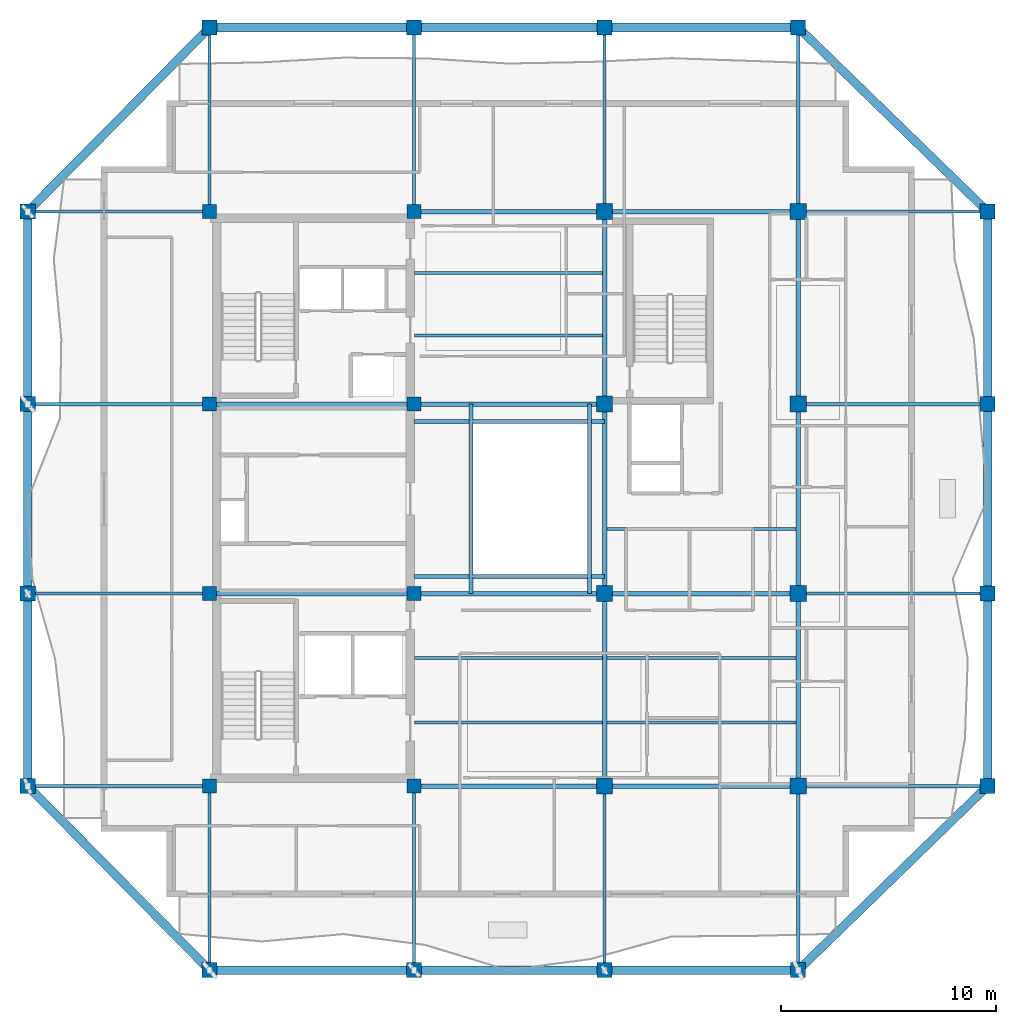
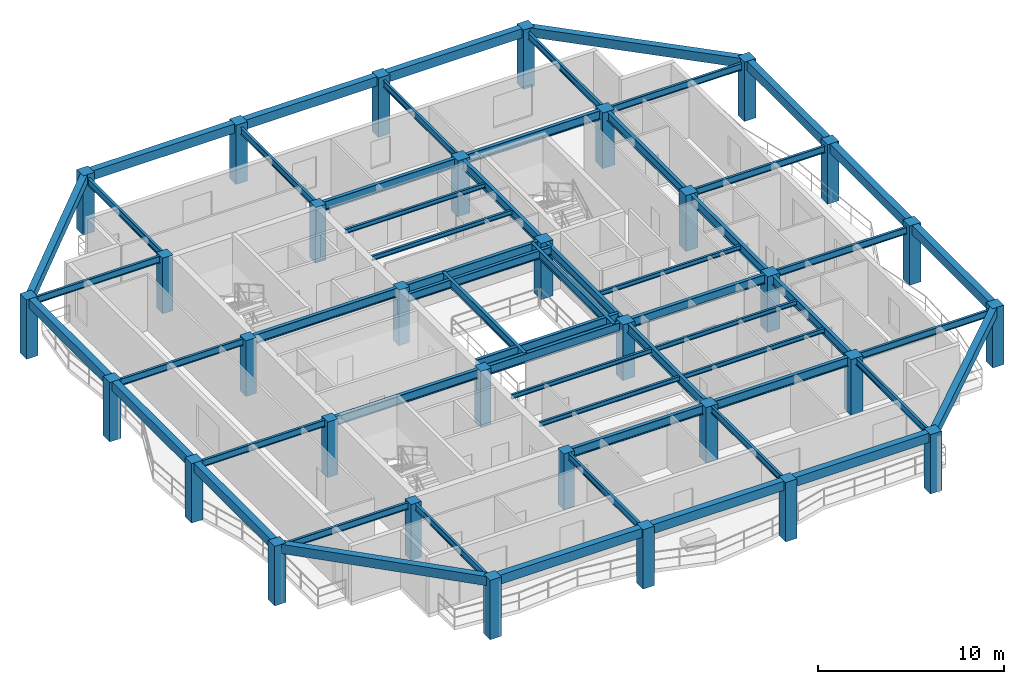
# One storey, part 1 of 10: 58 beams, 32 columns.
"""IFC4 building model written with IfcOpenShell, lengths in metres."""

from ifc_helpers import new_model, si_unit, direction, frame, origin, origin_2d, place, context, subcontext, project, spatial, rectangle, i_section, extrude, material, material_profile, profile_set, type_object, element, save


model = new_model("IFC4")

# Units and contexts
model_context = context("Model", 3, precision=1e-05, world=origin(), true_north=direction((0.0, 1.0)))
body_context = subcontext(model_context, "Body", "Model", "MODEL_VIEW")
ifc_project = project(units=[si_unit("LENGTHUNIT", "METRE"), si_unit("AREAUNIT", "SQUARE_METRE"), si_unit("VOLUMEUNIT", "CUBIC_METRE"), si_unit("PLANEANGLEUNIT", "RADIAN"), si_unit("MASSUNIT", "GRAM", prefix="KILO")], contexts=[model_context])

# Site, building, storey
site_placement = place(None, origin())
site = spatial("IfcSite", under=ifc_project, at=site_placement, CompositionType="ELEMENT")
building_placement = place(site_placement, origin())
building = spatial("IfcBuilding", under=site, at=building_placement, Name="Kundavana Baori Tower", CompositionType="ELEMENT")
storey_placement = place(building_placement, frame((0.0, 0.0, 292.10009765625)))
storey = spatial("IfcBuildingStorey", under=building, at=storey_placement, Name="L72", CompositionType="ELEMENT", Elevation=292.10009765625)

# Columns
ifc_material_1 = material(Name="Concrete C50/60", Category="concrete")
ifc_material_profile_1 = material_profile(ifc_material_1, rectangle(XDim=0.699951171875, YDim=0.699951171875, at=origin_2d()), Name="RC PF 700x700")
ifc_profile_set_1 = profile_set([ifc_material_profile_1], Name="Concrete C50/60")
column_type_1 = type_object("IfcColumnType", Name="COL-PF-700", PredefinedType="COLUMN", material=ifc_profile_set_1)
for number, where, z_axis, x_axis, name in (
    (1, (15.449951171875, 6.699951171875, 0.0), (0.0, 0.0, 1.0), (1.0, 0.0, 0.0), "L72 Stone-Clad Perimeter Frame Column PF-S1"),
    (2, (15.449951171875, 50.5, 0.0), (0.0, 0.0, 1.0), (1.0, 0.0, 0.0), "L72 Stone-Clad Perimeter Frame Column PF-N1"),
    (3, (24.949951171875, 6.699951171875, 0.0), (0.0, 0.0, 1.0), (1.0, 0.0, 0.0), "L72 Stone-Clad Perimeter Frame Column PF-S2"),
    (4, (24.949951171875, 50.5, 0.0), (0.0, 0.0, 1.0), (1.0, 0.0, 0.0), "L72 Stone-Clad Perimeter Frame Column PF-N2"),
    (5, (33.800048828125, 6.699951171875, 0.0), (0.0, 0.0, 1.0), (1.0, 0.0, 0.0), "L72 Stone-Clad Perimeter Frame Column PF-S3"),
    (6, (33.800048828125, 50.5, 0.0), (0.0, 0.0, 1.0), (1.0, 0.0, 0.0), "L72 Stone-Clad Perimeter Frame Column PF-N3"),
    (7, (42.800048828125, 6.699951171875, 0.0), (0.0, 0.0, 1.0), (1.0, 0.0, 0.0), "L72 Stone-Clad Perimeter Frame Column PF-S4"),
    (8, (42.800048828125, 50.5, 0.0), (0.0, 0.0, 1.0), (1.0, 0.0, 0.0), "L72 Stone-Clad Perimeter Frame Column PF-N4"),
    (9, (7.0, 15.25, 0.0), (0.0, 0.0, 1.0), (1.0, 0.0, 0.0), "L72 Stone-Clad Perimeter Frame Column PF-W1"),
    (10, (51.60009765625, 15.25, 0.0), (0.0, 0.0, 1.0), (1.0, 0.0, 0.0), "L72 Stone-Clad Perimeter Frame Column PF-E1"),
    (11, (7.0, 24.199951171875, 0.0), (0.0, 0.0, 1.0), (1.0, 0.0, 0.0), "L72 Stone-Clad Perimeter Frame Column PF-W2"),
    (12, (51.60009765625, 24.199951171875, 0.0), (0.0, 0.0, 1.0), (1.0, 0.0, 0.0), "L72 Stone-Clad Perimeter Frame Column PF-E2"),
    (13, (7.0, 33.0, 0.0), (0.0, 0.0, 1.0), (1.0, 0.0, 0.0), "L72 Stone-Clad Perimeter Frame Column PF-W3"),
    (14, (51.60009765625, 33.0, 0.0), (0.0, 0.0, 1.0), (1.0, 0.0, 0.0), "L72 Stone-Clad Perimeter Frame Column PF-E3"),
    (15, (7.0, 41.949951171875, 0.0), (0.0, 0.0, 1.0), (1.0, 0.0, 0.0), "L72 Stone-Clad Perimeter Frame Column PF-W4"),
    (16, (51.60009765625, 41.949951171875, 0.0), (0.0, 0.0, 1.0), (1.0, 0.0, 0.0), "L72 Stone-Clad Perimeter Frame Column PF-E4"),
):
    element("IfcColumn", number, at=place(storey_placement, frame(where, z_axis=z_axis, x_axis=x_axis)), inside=storey, type_object=column_type_1, Name=name, PredefinedType="COLUMN", context=body_context, shape_type="SweptSolid", body=[
        extrude(rectangle(XDim=0.699951171875, YDim=0.699951171875, at=origin_2d()), origin(), (0.0, 0.0, 1.0), 3.89990234375),
    ])
ifc_material_2 = material(Name="Concrete C50/60", Category="concrete")
ifc_material_profile_2 = material_profile(ifc_material_2, rectangle(XDim=0.64990234375, YDim=0.64990234375, at=origin_2d()), Name="RC 650x650")
ifc_profile_set_2 = profile_set([ifc_material_profile_2], Name="Concrete C50/60")
column_type_2 = type_object("IfcColumnType", Name="COL-RC-650", PredefinedType="COLUMN", material=ifc_profile_set_2)
for number, where, z_axis, x_axis, name in (
    (17, (15.449951171875, 15.25, 0.0), (0.0, 0.0, 1.0), (1.0, 0.0, 0.0), "L72 Interior Column IC-3C"),
    (18, (15.449951171875, 24.199951171875, 0.0), (0.0, 0.0, 1.0), (1.0, 0.0, 0.0), "L72 Interior Column IC-3D"),
    (19, (15.449951171875, 33.0, 0.0), (0.0, 0.0, 1.0), (1.0, 0.0, 0.0), "L72 Interior Column IC-3E"),
    (20, (15.449951171875, 41.949951171875, 0.0), (0.0, 0.0, 1.0), (1.0, 0.0, 0.0), "L72 Interior Column IC-3F"),
    (21, (24.949951171875, 15.25, 0.0), (0.0, 0.0, 1.0), (1.0, 0.0, 0.0), "L72 Interior Column IC-4C"),
    (22, (24.949951171875, 24.199951171875, 0.0), (0.0, 0.0, 1.0), (1.0, 0.0, 0.0), "L72 Interior Column IC-4D"),
    (23, (24.949951171875, 33.0, 0.0), (0.0, 0.0, 1.0), (1.0, 0.0, 0.0), "L72 Interior Column IC-4E"),
    (24, (24.949951171875, 41.949951171875, 0.0), (0.0, 0.0, 1.0), (1.0, 0.0, 0.0), "L72 Interior Column IC-4F"),
):
    element("IfcColumn", number, at=place(storey_placement, frame(where, z_axis=z_axis, x_axis=x_axis)), inside=storey, type_object=column_type_2, Name=name, PredefinedType="COLUMN", context=body_context, shape_type="SweptSolid", body=[
        extrude(rectangle(XDim=0.64990234375, YDim=0.64990234375, at=origin_2d()), origin(), (0.0, 0.0, 1.0), 3.659912109375),
    ])
ifc_material_3 = material(Name="Concrete C50/60", Category="concrete")
ifc_material_profile_3 = material_profile(ifc_material_3, rectangle(XDim=0.75, YDim=0.75, at=origin_2d()), Name="RC 750x750")
ifc_profile_set_3 = profile_set([ifc_material_profile_3], Name="Concrete C50/60")
column_type_3 = type_object("IfcColumnType", Name="COL-RC-750", PredefinedType="COLUMN", material=ifc_profile_set_3)
for number, where, z_axis, x_axis, name in (
    (25, (33.800048828125, 15.25, 0.0), (0.0, 0.0, 1.0), (1.0, 0.0, 0.0), "L72 Interior Column IC-5C"),
    (26, (33.800048828125, 24.199951171875, 0.0), (0.0, 0.0, 1.0), (1.0, 0.0, 0.0), "L72 Interior Column IC-5D"),
    (27, (33.800048828125, 33.0, 0.0), (0.0, 0.0, 1.0), (1.0, 0.0, 0.0), "L72 Interior Column IC-5E"),
    (28, (33.800048828125, 41.949951171875, 0.0), (0.0, 0.0, 1.0), (1.0, 0.0, 0.0), "L72 Interior Column IC-5F"),
    (29, (42.800048828125, 15.25, 0.0), (0.0, 0.0, 1.0), (1.0, 0.0, 0.0), "L72 Interior Column IC-6C"),
    (30, (42.800048828125, 24.199951171875, 0.0), (0.0, 0.0, 1.0), (1.0, 0.0, 0.0), "L72 Interior Column IC-6D"),
    (31, (42.800048828125, 33.0, 0.0), (0.0, 0.0, 1.0), (1.0, 0.0, 0.0), "L72 Interior Column IC-6E"),
    (32, (42.800048828125, 41.949951171875, 0.0), (0.0, 0.0, 1.0), (1.0, 0.0, 0.0), "L72 Interior Column IC-6F"),
):
    element("IfcColumn", number, at=place(storey_placement, frame(where, z_axis=z_axis, x_axis=x_axis)), inside=storey, type_object=column_type_3, Name=name, PredefinedType="COLUMN", context=body_context, shape_type="SweptSolid", body=[
        extrude(rectangle(XDim=0.75, YDim=0.75, at=origin_2d()), origin(), (0.0, 0.0, 1.0), 3.659912109375),
    ])

# Beams
ifc_material_4 = material(Name="Concrete C50/60", Category="concrete")
ifc_material_profile_4 = material_profile(ifc_material_4, rectangle(XDim=0.39990234375, YDim=0.60009765625, at=origin_2d()), Name="RC BM 400x600")
ifc_profile_set_4 = profile_set([ifc_material_profile_4], Name="Concrete C50/60")
beam_type_1 = type_object("IfcBeamType", Name="BM-PF-600", PredefinedType="SPANDREL", material=ifc_profile_set_4)
beam_1_placement = place(storey_placement, frame((15.449951171875, 6.699951171875, 3.599853515625), z_axis=(1.0, 0.0, 0.0), x_axis=(0.0, 1.0, 0.0)))
element("IfcBeam", 33, at=beam_1_placement, inside=storey, type_object=beam_type_1, Name="L72 Perimeter Frame Ring Beam S1", PredefinedType="SPANDREL", context=body_context, shape_type="SweptSolid", body=[
    extrude(rectangle(XDim=0.39990234375, YDim=0.60009765625, at=origin_2d()), origin(), (0.0, 0.0, 1.0), 9.5),
])
beam_2_placement = place(storey_placement, frame((24.949951171875, 6.699951171875, 3.599853515625), z_axis=(1.0, 0.0, 0.0), x_axis=(0.0, 1.0, 0.0)))
element("IfcBeam", 34, at=beam_2_placement, inside=storey, type_object=beam_type_1, Name="L72 Perimeter Frame Ring Beam S2", PredefinedType="SPANDREL", context=body_context, shape_type="SweptSolid", body=[
    extrude(rectangle(XDim=0.39990234375, YDim=0.60009765625, at=origin_2d()), origin(), (0.0, 0.0, 1.0), 8.85009765625),
])
beam_3_placement = place(storey_placement, frame((33.800048828125, 6.699951171875, 3.599853515625), z_axis=(1.0, 0.0, 0.0), x_axis=(0.0, 1.0, 0.0)))
element("IfcBeam", 35, at=beam_3_placement, inside=storey, type_object=beam_type_1, Name="L72 Perimeter Frame Ring Beam S3", PredefinedType="SPANDREL", context=body_context, shape_type="SweptSolid", body=[
    extrude(rectangle(XDim=0.39990234375, YDim=0.60009765625, at=origin_2d()), origin(), (0.0, 0.0, 1.0), 9.0),
])
beam_4_placement = place(storey_placement, frame((15.449951171875, 50.5, 3.599853515625), z_axis=(1.0, 0.0, 0.0), x_axis=(0.0, 1.0, 0.0)))
element("IfcBeam", 36, at=beam_4_placement, inside=storey, type_object=beam_type_1, Name="L72 Perimeter Frame Ring Beam N1", PredefinedType="SPANDREL", context=body_context, shape_type="SweptSolid", body=[
    extrude(rectangle(XDim=0.39990234375, YDim=0.60009765625, at=origin_2d()), origin(), (0.0, 0.0, 1.0), 9.5),
])
beam_5_placement = place(storey_placement, frame((24.949951171875, 50.5, 3.599853515625), z_axis=(1.0, 0.0, 0.0), x_axis=(0.0, 1.0, 0.0)))
element("IfcBeam", 37, at=beam_5_placement, inside=storey, type_object=beam_type_1, Name="L72 Perimeter Frame Ring Beam N2", PredefinedType="SPANDREL", context=body_context, shape_type="SweptSolid", body=[
    extrude(rectangle(XDim=0.39990234375, YDim=0.60009765625, at=origin_2d()), origin(), (0.0, 0.0, 1.0), 8.85009765625),
])
beam_6_placement = place(storey_placement, frame((33.800048828125, 50.5, 3.599853515625), z_axis=(1.0, 0.0, 0.0), x_axis=(0.0, 1.0, 0.0)))
element("IfcBeam", 38, at=beam_6_placement, inside=storey, type_object=beam_type_1, Name="L72 Perimeter Frame Ring Beam N3", PredefinedType="SPANDREL", context=body_context, shape_type="SweptSolid", body=[
    extrude(rectangle(XDim=0.39990234375, YDim=0.60009765625, at=origin_2d()), origin(), (0.0, 0.0, 1.0), 9.0),
])
beam_7_placement = place(storey_placement, frame((7.0, 15.25, 3.599853515625), z_axis=(0.0, 1.0, 0.0), x_axis=(-1.0, 0.0, 0.0)))
element("IfcBeam", 39, at=beam_7_placement, inside=storey, type_object=beam_type_1, Name="L72 Perimeter Frame Ring Beam W1", PredefinedType="SPANDREL", context=body_context, shape_type="SweptSolid", body=[
    extrude(rectangle(XDim=0.39990234375, YDim=0.60009765625, at=origin_2d()), origin(), (0.0, 0.0, 1.0), 8.949951171875),
])
beam_8_placement = place(storey_placement, frame((7.0, 24.199951171875, 3.599853515625), z_axis=(0.0, 1.0, 0.0), x_axis=(-1.0, 0.0, 0.0)))
element("IfcBeam", 40, at=beam_8_placement, inside=storey, type_object=beam_type_1, Name="L72 Perimeter Frame Ring Beam W2", PredefinedType="SPANDREL", context=body_context, shape_type="SweptSolid", body=[
    extrude(rectangle(XDim=0.39990234375, YDim=0.60009765625, at=origin_2d()), origin(), (0.0, 0.0, 1.0), 8.800048828125),
])
for number, where, z_axis, x_axis, name in (
    (41, (7.0, 33.0, 3.599853515625), (0.0, 1.0, 0.0), (-1.0, 0.0, 0.0), "L72 Perimeter Frame Ring Beam W3"),
    (42, (51.60009765625, 15.25, 3.599853515625), (0.0, 1.0, 0.0), (-1.0, 0.0, 0.0), "L72 Perimeter Frame Ring Beam E1"),
):
    element("IfcBeam", number, at=place(storey_placement, frame(where, z_axis=z_axis, x_axis=x_axis)), inside=storey, type_object=beam_type_1, Name=name, PredefinedType="SPANDREL", context=body_context, shape_type="SweptSolid", body=[
        extrude(rectangle(XDim=0.39990234375, YDim=0.60009765625, at=origin_2d()), origin(), (0.0, 0.0, 1.0), 8.949951171875),
    ])
beam_9_placement = place(storey_placement, frame((51.60009765625, 24.199951171875, 3.599853515625), z_axis=(0.0, 1.0, 0.0), x_axis=(-1.0, 0.0, 0.0)))
element("IfcBeam", 43, at=beam_9_placement, inside=storey, type_object=beam_type_1, Name="L72 Perimeter Frame Ring Beam E2", PredefinedType="SPANDREL", context=body_context, shape_type="SweptSolid", body=[
    extrude(rectangle(XDim=0.39990234375, YDim=0.60009765625, at=origin_2d()), origin(), (0.0, 0.0, 1.0), 8.800048828125),
])
beam_10_placement = place(storey_placement, frame((51.60009765625, 33.0, 3.599853515625), z_axis=(0.0, 1.0, 0.0), x_axis=(-1.0, 0.0, 0.0)))
element("IfcBeam", 44, at=beam_10_placement, inside=storey, type_object=beam_type_1, Name="L72 Perimeter Frame Ring Beam E3", PredefinedType="SPANDREL", context=body_context, shape_type="SweptSolid", body=[
    extrude(rectangle(XDim=0.39990234375, YDim=0.60009765625, at=origin_2d()), origin(), (0.0, 0.0, 1.0), 8.949951171875),
])
beam_11_placement = place(storey_placement, frame((15.449951171875, 6.699951171875, 3.599853515625), z_axis=(-0.702931082472, 0.711257965365, 0.0), x_axis=(-0.711257965365, -0.702931082472, 0.0)))
element("IfcBeam", 45, at=beam_11_placement, inside=storey, type_object=beam_type_1, Name="L72 Notched Corner Perimeter Beam SW", PredefinedType="SPANDREL", context=body_context, shape_type="SweptSolid", body=[
    extrude(rectangle(XDim=0.39990234375, YDim=0.60009765625, at=origin_2d()), origin(), (0.0, 0.0, 1.0), 12.02099609375),
])
beam_12_placement = place(storey_placement, frame((42.800048828125, 6.699951171875, 3.599853515625), z_axis=(0.717221130298, 0.696845643062, 0.0), x_axis=(-0.696845643062, 0.717221130298, 0.0)))
element("IfcBeam", 46, at=beam_12_placement, inside=storey, type_object=beam_type_1, Name="L72 Notched Corner Perimeter Beam SE", PredefinedType="SPANDREL", context=body_context, shape_type="SweptSolid", body=[
    extrude(rectangle(XDim=0.39990234375, YDim=0.60009765625, at=origin_2d()), origin(), (0.0, 0.0, 1.0), 12.26953125),
])
beam_13_placement = place(storey_placement, frame((15.449951171875, 50.5, 3.599853515625), z_axis=(-0.702931082472, -0.711257965365, 0.0), x_axis=(0.711257965365, -0.702931082472, 0.0)))
element("IfcBeam", 47, at=beam_13_placement, inside=storey, type_object=beam_type_1, Name="L72 Notched Corner Perimeter Beam NW", PredefinedType="SPANDREL", context=body_context, shape_type="SweptSolid", body=[
    extrude(rectangle(XDim=0.39990234375, YDim=0.60009765625, at=origin_2d()), origin(), (0.0, 0.0, 1.0), 12.02099609375),
])
beam_14_placement = place(storey_placement, frame((42.800048828125, 50.5, 3.599853515625), z_axis=(0.717221130298, -0.696845643062, 0.0), x_axis=(0.696845643062, 0.717221130298, 0.0)))
element("IfcBeam", 48, at=beam_14_placement, inside=storey, type_object=beam_type_1, Name="L72 Notched Corner Perimeter Beam NE", PredefinedType="SPANDREL", context=body_context, shape_type="SweptSolid", body=[
    extrude(rectangle(XDim=0.39990234375, YDim=0.60009765625, at=origin_2d()), origin(), (0.0, 0.0, 1.0), 12.26953125),
])
ifc_material_5 = material(Name="Structural Steel S355JR", Category="steel")
ifc_material_profile_5 = material_profile(ifc_material_5, i_section(OverallWidth=0.139892578125, OverallDepth=0.300048828125, WebThickness=0.0078125, FlangeThickness=0.01318359375, FilletRadius=0.013916015625, at=origin_2d()), Name="ISMB 300")
ifc_profile_set_5 = profile_set([ifc_material_profile_5], Name="Structural Steel S355JR")
beam_type_2 = type_object("IfcBeamType", Name="BM-RF-300", PredefinedType="BEAM", material=ifc_profile_set_5)
for number, where, z_axis, x_axis, name in (
    (49, (24.97998046875, 18.199951171875, 3.510009765625), (1.0, 0.0, 0.0), (0.0, 1.0, 0.0), "L72 Central Bay Composite Floor Joist C1"),
    (50, (24.97998046875, 21.199951171875, 3.510009765625), (1.0, 0.0, 0.0), (0.0, 1.0, 0.0), "L72 Central Bay Composite Floor Joist C2"),
    (51, (24.97998046875, 36.199951171875, 3.510009765625), (1.0, 0.0, 0.0), (0.0, 1.0, 0.0), "L72 Central Bay Composite Floor Joist C3"),
    (52, (24.97998046875, 39.10009765625, 3.510009765625), (1.0, 0.0, 0.0), (0.0, 1.0, 0.0), "L72 Central Bay Composite Floor Joist C4"),
):
    element("IfcBeam", number, at=place(storey_placement, frame(where, z_axis=z_axis, x_axis=x_axis)), inside=storey, type_object=beam_type_2, Name=name, PredefinedType="BEAM", context=body_context, shape_type="SweptSolid", body=[
        extrude(i_section(OverallWidth=0.139892578125, OverallDepth=0.300048828125, WebThickness=0.0078125, FlangeThickness=0.01318359375, FilletRadius=0.013916015625, at=origin_2d()), origin(), (0.0, 0.0, 1.0), 8.715087890625),
    ])
for number, where, z_axis, x_axis, name in (
    (53, (33.905029296875, 18.199951171875, 3.510009765625), (1.0, 0.0, 0.0), (0.0, 1.0, 0.0), "L72 East Bay Composite Floor Joist E1"),
    (54, (33.905029296875, 21.199951171875, 3.510009765625), (1.0, 0.0, 0.0), (0.0, 1.0, 0.0), "L72 East Bay Composite Floor Joist E2"),
    (55, (33.905029296875, 27.199951171875, 3.510009765625), (1.0, 0.0, 0.0), (0.0, 1.0, 0.0), "L72 East Bay Composite Floor Joist E3"),
):
    element("IfcBeam", number, at=place(storey_placement, frame(where, z_axis=z_axis, x_axis=x_axis)), inside=storey, type_object=beam_type_2, Name=name, PredefinedType="BEAM", context=body_context, shape_type="SweptSolid", body=[
        extrude(i_section(OverallWidth=0.139892578125, OverallDepth=0.300048828125, WebThickness=0.0078125, FlangeThickness=0.01318359375, FilletRadius=0.013916015625, at=origin_2d()), origin(), (0.0, 0.0, 1.0), 8.7900390625),
    ])
ifc_material_6 = material(Name="Structural Steel S355JR", Category="steel")
ifc_material_profile_6 = material_profile(ifc_material_6, i_section(OverallWidth=0.18994140625, OverallDepth=0.550048828125, WebThickness=0.01123046875, FlangeThickness=0.019287109375, FilletRadius=0.01806640625, at=origin_2d()), Name="ISMB 550")
ifc_profile_set_6 = profile_set([ifc_material_profile_6], Name="Structural Steel S355JR")
beam_type_3 = type_object("IfcBeamType", Name="BM-ST-550", PredefinedType="BEAM", material=ifc_profile_set_6)
for number, where, z_axis, x_axis, name in (
    (56, (27.60009765625, 24.199951171875, 3.385009765625), (0.0, 1.0, 0.0), (-1.0, 0.0, 0.0), "L72 Atrium West Edge Beam"),
    (57, (33.10009765625, 24.199951171875, 3.385009765625), (0.0, 1.0, 0.0), (-1.0, 0.0, 0.0), "L72 Atrium East Edge Beam"),
):
    element("IfcBeam", number, at=place(storey_placement, frame(where, z_axis=z_axis, x_axis=x_axis)), inside=storey, type_object=beam_type_3, Name=name, PredefinedType="BEAM", context=body_context, shape_type="SweptSolid", body=[
        extrude(i_section(OverallWidth=0.18994140625, OverallDepth=0.550048828125, WebThickness=0.01123046875, FlangeThickness=0.019287109375, FilletRadius=0.01806640625, at=origin_2d()), origin(), (0.0, 0.0, 1.0), 8.800048828125),
    ])
for number, where, z_axis, x_axis, name in (
    (58, (24.949951171875, 25.0, 3.385009765625), (1.0, 0.0, 0.0), (0.0, 1.0, 0.0), "L72 Atrium South Edge Beam"),
    (59, (24.949951171875, 32.199951171875, 3.385009765625), (1.0, 0.0, 0.0), (0.0, 1.0, 0.0), "L72 Atrium North Edge Beam"),
):
    element("IfcBeam", number, at=place(storey_placement, frame(where, z_axis=z_axis, x_axis=x_axis)), inside=storey, type_object=beam_type_3, Name=name, PredefinedType="BEAM", context=body_context, shape_type="SweptSolid", body=[
        extrude(i_section(OverallWidth=0.18994140625, OverallDepth=0.550048828125, WebThickness=0.01123046875, FlangeThickness=0.019287109375, FilletRadius=0.01806640625, at=origin_2d()), origin(), (0.0, 0.0, 1.0), 8.85009765625),
    ])
ifc_material_7 = material(Name="Structural Steel S355JR", Category="steel")
ifc_material_profile_7 = material_profile(ifc_material_7, i_section(OverallWidth=0.2099609375, OverallDepth=0.60009765625, WebThickness=0.011962890625, FlangeThickness=0.020751953125, FilletRadius=0.02001953125, at=origin_2d()), Name="ISMB 600")
ifc_profile_set_7 = profile_set([ifc_material_profile_7], Name="Structural Steel S355JR")
beam_type_4 = type_object("IfcBeamType", Name="BM-ST-600", PredefinedType="BEAM", material=ifc_profile_set_7)
beam_15_placement = place(storey_placement, frame((24.949951171875, 15.25, 3.35986328125), z_axis=(1.0, 0.0, 0.0), x_axis=(0.0, 1.0, 0.0)))
element("IfcBeam", 60, at=beam_15_placement, inside=storey, type_object=beam_type_4, Name="L72 Primary Grid Girder GX-1-2", PredefinedType="BEAM", context=body_context, shape_type="SweptSolid", body=[
    extrude(i_section(OverallWidth=0.2099609375, OverallDepth=0.60009765625, WebThickness=0.011962890625, FlangeThickness=0.020751953125, FilletRadius=0.02001953125, at=origin_2d()), origin(), (0.0, 0.0, 1.0), 8.85009765625),
])
beam_16_placement = place(storey_placement, frame((33.800048828125, 15.25, 3.35986328125), z_axis=(1.0, 0.0, 0.0), x_axis=(0.0, 1.0, 0.0)))
element("IfcBeam", 61, at=beam_16_placement, inside=storey, type_object=beam_type_4, Name="L72 Primary Grid Girder GX-1-3", PredefinedType="BEAM", context=body_context, shape_type="SweptSolid", body=[
    extrude(i_section(OverallWidth=0.2099609375, OverallDepth=0.60009765625, WebThickness=0.011962890625, FlangeThickness=0.020751953125, FilletRadius=0.02001953125, at=origin_2d()), origin(), (0.0, 0.0, 1.0), 9.0),
])
beam_17_placement = place(storey_placement, frame((15.449951171875, 24.199951171875, 3.35986328125), z_axis=(1.0, 0.0, 0.0), x_axis=(0.0, 1.0, 0.0)))
element("IfcBeam", 62, at=beam_17_placement, inside=storey, type_object=beam_type_4, Name="L72 Primary Grid Girder GX-2-1", PredefinedType="BEAM", context=body_context, shape_type="SweptSolid", body=[
    extrude(i_section(OverallWidth=0.2099609375, OverallDepth=0.60009765625, WebThickness=0.011962890625, FlangeThickness=0.020751953125, FilletRadius=0.02001953125, at=origin_2d()), origin(), (0.0, 0.0, 1.0), 9.5),
])
beam_18_placement = place(storey_placement, frame((24.949951171875, 24.199951171875, 3.35986328125), z_axis=(1.0, 0.0, 0.0), x_axis=(0.0, 1.0, 0.0)))
element("IfcBeam", 63, at=beam_18_placement, inside=storey, type_object=beam_type_4, Name="L72 Primary Grid Girder GX-2-2", PredefinedType="BEAM", context=body_context, shape_type="SweptSolid", body=[
    extrude(i_section(OverallWidth=0.2099609375, OverallDepth=0.60009765625, WebThickness=0.011962890625, FlangeThickness=0.020751953125, FilletRadius=0.02001953125, at=origin_2d()), origin(), (0.0, 0.0, 1.0), 8.85009765625),
])
beam_19_placement = place(storey_placement, frame((33.800048828125, 24.199951171875, 3.35986328125), z_axis=(1.0, 0.0, 0.0), x_axis=(0.0, 1.0, 0.0)))
element("IfcBeam", 64, at=beam_19_placement, inside=storey, type_object=beam_type_4, Name="L72 Primary Grid Girder GX-2-3", PredefinedType="BEAM", context=body_context, shape_type="SweptSolid", body=[
    extrude(i_section(OverallWidth=0.2099609375, OverallDepth=0.60009765625, WebThickness=0.011962890625, FlangeThickness=0.020751953125, FilletRadius=0.02001953125, at=origin_2d()), origin(), (0.0, 0.0, 1.0), 9.0),
])
beam_20_placement = place(storey_placement, frame((15.449951171875, 33.0, 3.35986328125), z_axis=(1.0, 0.0, 0.0), x_axis=(0.0, 1.0, 0.0)))
element("IfcBeam", 65, at=beam_20_placement, inside=storey, type_object=beam_type_4, Name="L72 Primary Grid Girder GX-3-1", PredefinedType="BEAM", context=body_context, shape_type="SweptSolid", body=[
    extrude(i_section(OverallWidth=0.2099609375, OverallDepth=0.60009765625, WebThickness=0.011962890625, FlangeThickness=0.020751953125, FilletRadius=0.02001953125, at=origin_2d()), origin(), (0.0, 0.0, 1.0), 9.5),
])
for number, where, z_axis, x_axis, name in (
    (66, (24.949951171875, 33.0, 3.35986328125), (1.0, 0.0, 0.0), (0.0, 1.0, 0.0), "L72 Primary Grid Girder GX-3-2"),
    (67, (24.949951171875, 41.949951171875, 3.35986328125), (1.0, 0.0, 0.0), (0.0, 1.0, 0.0), "L72 Primary Grid Girder GX-4-2"),
):
    element("IfcBeam", number, at=place(storey_placement, frame(where, z_axis=z_axis, x_axis=x_axis)), inside=storey, type_object=beam_type_4, Name=name, PredefinedType="BEAM", context=body_context, shape_type="SweptSolid", body=[
        extrude(i_section(OverallWidth=0.2099609375, OverallDepth=0.60009765625, WebThickness=0.011962890625, FlangeThickness=0.020751953125, FilletRadius=0.02001953125, at=origin_2d()), origin(), (0.0, 0.0, 1.0), 8.85009765625),
    ])
beam_21_placement = place(storey_placement, frame((33.800048828125, 41.949951171875, 3.35986328125), z_axis=(1.0, 0.0, 0.0), x_axis=(0.0, 1.0, 0.0)))
element("IfcBeam", 68, at=beam_21_placement, inside=storey, type_object=beam_type_4, Name="L72 Primary Grid Girder GX-4-3", PredefinedType="BEAM", context=body_context, shape_type="SweptSolid", body=[
    extrude(i_section(OverallWidth=0.2099609375, OverallDepth=0.60009765625, WebThickness=0.011962890625, FlangeThickness=0.020751953125, FilletRadius=0.02001953125, at=origin_2d()), origin(), (0.0, 0.0, 1.0), 9.0),
])
beam_22_placement = place(storey_placement, frame((33.800048828125, 15.25, 3.35986328125), z_axis=(0.0, 1.0, 0.0), x_axis=(-1.0, 0.0, 0.0)))
element("IfcBeam", 69, at=beam_22_placement, inside=storey, type_object=beam_type_4, Name="L72 Primary Grid Girder GY-3-1", PredefinedType="BEAM", context=body_context, shape_type="SweptSolid", body=[
    extrude(i_section(OverallWidth=0.2099609375, OverallDepth=0.60009765625, WebThickness=0.011962890625, FlangeThickness=0.020751953125, FilletRadius=0.02001953125, at=origin_2d()), origin(), (0.0, 0.0, 1.0), 8.949951171875),
])
beam_23_placement = place(storey_placement, frame((33.800048828125, 24.199951171875, 3.35986328125), z_axis=(0.0, 1.0, 0.0), x_axis=(-1.0, 0.0, 0.0)))
element("IfcBeam", 70, at=beam_23_placement, inside=storey, type_object=beam_type_4, Name="L72 Primary Grid Girder GY-3-2", PredefinedType="BEAM", context=body_context, shape_type="SweptSolid", body=[
    extrude(i_section(OverallWidth=0.2099609375, OverallDepth=0.60009765625, WebThickness=0.011962890625, FlangeThickness=0.020751953125, FilletRadius=0.02001953125, at=origin_2d()), origin(), (0.0, 0.0, 1.0), 8.800048828125),
])
for number, where, z_axis, x_axis, name in (
    (71, (33.800048828125, 33.0, 3.35986328125), (0.0, 1.0, 0.0), (-1.0, 0.0, 0.0), "L72 Primary Grid Girder GY-3-3"),
    (72, (42.800048828125, 15.25, 3.35986328125), (0.0, 1.0, 0.0), (-1.0, 0.0, 0.0), "L72 Primary Grid Girder GY-4-1"),
):
    element("IfcBeam", number, at=place(storey_placement, frame(where, z_axis=z_axis, x_axis=x_axis)), inside=storey, type_object=beam_type_4, Name=name, PredefinedType="BEAM", context=body_context, shape_type="SweptSolid", body=[
        extrude(i_section(OverallWidth=0.2099609375, OverallDepth=0.60009765625, WebThickness=0.011962890625, FlangeThickness=0.020751953125, FilletRadius=0.02001953125, at=origin_2d()), origin(), (0.0, 0.0, 1.0), 8.949951171875),
    ])
beam_24_placement = place(storey_placement, frame((42.800048828125, 24.199951171875, 3.35986328125), z_axis=(0.0, 1.0, 0.0), x_axis=(-1.0, 0.0, 0.0)))
element("IfcBeam", 73, at=beam_24_placement, inside=storey, type_object=beam_type_4, Name="L72 Primary Grid Girder GY-4-2", PredefinedType="BEAM", context=body_context, shape_type="SweptSolid", body=[
    extrude(i_section(OverallWidth=0.2099609375, OverallDepth=0.60009765625, WebThickness=0.011962890625, FlangeThickness=0.020751953125, FilletRadius=0.02001953125, at=origin_2d()), origin(), (0.0, 0.0, 1.0), 8.800048828125),
])
beam_25_placement = place(storey_placement, frame((42.800048828125, 33.0, 3.35986328125), z_axis=(0.0, 1.0, 0.0), x_axis=(-1.0, 0.0, 0.0)))
element("IfcBeam", 74, at=beam_25_placement, inside=storey, type_object=beam_type_4, Name="L72 Primary Grid Girder GY-4-3", PredefinedType="BEAM", context=body_context, shape_type="SweptSolid", body=[
    extrude(i_section(OverallWidth=0.2099609375, OverallDepth=0.60009765625, WebThickness=0.011962890625, FlangeThickness=0.020751953125, FilletRadius=0.02001953125, at=origin_2d()), origin(), (0.0, 0.0, 1.0), 8.949951171875),
])
ifc_material_8 = material(Name="Structural Steel S355JR", Category="steel")
ifc_material_profile_8 = material_profile(ifc_material_8, i_section(OverallWidth=0.14990234375, OverallDepth=0.449951171875, WebThickness=0.009521484375, FlangeThickness=0.017333984375, FilletRadius=0.014892578125, at=origin_2d()), Name="ISMB 450")
ifc_profile_set_8 = profile_set([ifc_material_profile_8], Name="Structural Steel S355JR")
beam_type_5 = type_object("IfcBeamType", Name="BM-TIE-450", PredefinedType="BEAM", material=ifc_profile_set_8)
for number, where, z_axis, x_axis, name in (
    (75, (15.449951171875, 15.25, 3.434814453125), (0.0, -1.0, 0.0), (1.0, 0.0, 0.0), "L72 South Radial Loggia Tie Beam S1"),
    (76, (15.449951171875, 41.949951171875, 3.434814453125), (0.0, 1.0, 0.0), (-1.0, 0.0, 0.0), "L72 North Radial Loggia Tie Beam N1"),
    (77, (24.949951171875, 15.25, 3.434814453125), (0.0, -1.0, 0.0), (1.0, 0.0, 0.0), "L72 South Radial Loggia Tie Beam S2"),
    (78, (24.949951171875, 41.949951171875, 3.434814453125), (0.0, 1.0, 0.0), (-1.0, 0.0, 0.0), "L72 North Radial Loggia Tie Beam N2"),
    (79, (33.800048828125, 15.25, 3.434814453125), (0.0, -1.0, 0.0), (1.0, 0.0, 0.0), "L72 South Radial Loggia Tie Beam S3"),
    (80, (33.800048828125, 41.949951171875, 3.434814453125), (0.0, 1.0, 0.0), (-1.0, 0.0, 0.0), "L72 North Radial Loggia Tie Beam N3"),
    (81, (42.800048828125, 15.25, 3.434814453125), (0.0, -1.0, 0.0), (1.0, 0.0, 0.0), "L72 South Radial Loggia Tie Beam S4"),
    (82, (42.800048828125, 41.949951171875, 3.434814453125), (0.0, 1.0, 0.0), (-1.0, 0.0, 0.0), "L72 North Radial Loggia Tie Beam N4"),
):
    element("IfcBeam", number, at=place(storey_placement, frame(where, z_axis=z_axis, x_axis=x_axis)), inside=storey, type_object=beam_type_5, Name=name, PredefinedType="BEAM", context=body_context, shape_type="SweptSolid", body=[
        extrude(i_section(OverallWidth=0.14990234375, OverallDepth=0.449951171875, WebThickness=0.009521484375, FlangeThickness=0.017333984375, FilletRadius=0.014892578125, at=origin_2d()), origin(), (0.0, 0.0, 1.0), 8.550048828125),
    ])
beam_26_placement = place(storey_placement, frame((15.449951171875, 15.25, 3.434814453125), z_axis=(-1.0, 0.0, 0.0), x_axis=(0.0, -1.0, 0.0)))
element("IfcBeam", 83, at=beam_26_placement, inside=storey, type_object=beam_type_5, Name="L72 West Radial Loggia Tie Beam W1", PredefinedType="BEAM", context=body_context, shape_type="SweptSolid", body=[
    extrude(i_section(OverallWidth=0.14990234375, OverallDepth=0.449951171875, WebThickness=0.009521484375, FlangeThickness=0.017333984375, FilletRadius=0.014892578125, at=origin_2d()), origin(), (0.0, 0.0, 1.0), 8.449951171875),
])
beam_27_placement = place(storey_placement, frame((42.800048828125, 15.25, 3.434814453125), z_axis=(1.0, 0.0, 0.0), x_axis=(0.0, 1.0, 0.0)))
element("IfcBeam", 84, at=beam_27_placement, inside=storey, type_object=beam_type_5, Name="L72 East Radial Loggia Tie Beam E1", PredefinedType="BEAM", context=body_context, shape_type="SweptSolid", body=[
    extrude(i_section(OverallWidth=0.14990234375, OverallDepth=0.449951171875, WebThickness=0.009521484375, FlangeThickness=0.017333984375, FilletRadius=0.014892578125, at=origin_2d()), origin(), (0.0, 0.0, 1.0), 8.800048828125),
])
beam_28_placement = place(storey_placement, frame((15.449951171875, 24.199951171875, 3.434814453125), z_axis=(-1.0, 0.0, 0.0), x_axis=(0.0, -1.0, 0.0)))
element("IfcBeam", 85, at=beam_28_placement, inside=storey, type_object=beam_type_5, Name="L72 West Radial Loggia Tie Beam W2", PredefinedType="BEAM", context=body_context, shape_type="SweptSolid", body=[
    extrude(i_section(OverallWidth=0.14990234375, OverallDepth=0.449951171875, WebThickness=0.009521484375, FlangeThickness=0.017333984375, FilletRadius=0.014892578125, at=origin_2d()), origin(), (0.0, 0.0, 1.0), 8.449951171875),
])
beam_29_placement = place(storey_placement, frame((42.800048828125, 24.199951171875, 3.434814453125), z_axis=(1.0, 0.0, 0.0), x_axis=(0.0, 1.0, 0.0)))
element("IfcBeam", 86, at=beam_29_placement, inside=storey, type_object=beam_type_5, Name="L72 East Radial Loggia Tie Beam E2", PredefinedType="BEAM", context=body_context, shape_type="SweptSolid", body=[
    extrude(i_section(OverallWidth=0.14990234375, OverallDepth=0.449951171875, WebThickness=0.009521484375, FlangeThickness=0.017333984375, FilletRadius=0.014892578125, at=origin_2d()), origin(), (0.0, 0.0, 1.0), 8.800048828125),
])
beam_30_placement = place(storey_placement, frame((15.449951171875, 33.0, 3.434814453125), z_axis=(-1.0, 0.0, 0.0), x_axis=(0.0, -1.0, 0.0)))
element("IfcBeam", 87, at=beam_30_placement, inside=storey, type_object=beam_type_5, Name="L72 West Radial Loggia Tie Beam W3", PredefinedType="BEAM", context=body_context, shape_type="SweptSolid", body=[
    extrude(i_section(OverallWidth=0.14990234375, OverallDepth=0.449951171875, WebThickness=0.009521484375, FlangeThickness=0.017333984375, FilletRadius=0.014892578125, at=origin_2d()), origin(), (0.0, 0.0, 1.0), 8.449951171875),
])
beam_31_placement = place(storey_placement, frame((42.800048828125, 33.0, 3.434814453125), z_axis=(1.0, 0.0, 0.0), x_axis=(0.0, 1.0, 0.0)))
element("IfcBeam", 88, at=beam_31_placement, inside=storey, type_object=beam_type_5, Name="L72 East Radial Loggia Tie Beam E3", PredefinedType="BEAM", context=body_context, shape_type="SweptSolid", body=[
    extrude(i_section(OverallWidth=0.14990234375, OverallDepth=0.449951171875, WebThickness=0.009521484375, FlangeThickness=0.017333984375, FilletRadius=0.014892578125, at=origin_2d()), origin(), (0.0, 0.0, 1.0), 8.800048828125),
])
beam_32_placement = place(storey_placement, frame((15.449951171875, 41.949951171875, 3.434814453125), z_axis=(-1.0, 0.0, 0.0), x_axis=(0.0, -1.0, 0.0)))
element("IfcBeam", 89, at=beam_32_placement, inside=storey, type_object=beam_type_5, Name="L72 West Radial Loggia Tie Beam W4", PredefinedType="BEAM", context=body_context, shape_type="SweptSolid", body=[
    extrude(i_section(OverallWidth=0.14990234375, OverallDepth=0.449951171875, WebThickness=0.009521484375, FlangeThickness=0.017333984375, FilletRadius=0.014892578125, at=origin_2d()), origin(), (0.0, 0.0, 1.0), 8.449951171875),
])
beam_33_placement = place(storey_placement, frame((42.800048828125, 41.949951171875, 3.434814453125), z_axis=(1.0, 0.0, 0.0), x_axis=(0.0, 1.0, 0.0)))
element("IfcBeam", 90, at=beam_33_placement, inside=storey, type_object=beam_type_5, Name="L72 East Radial Loggia Tie Beam E4", PredefinedType="BEAM", context=body_context, shape_type="SweptSolid", body=[
    extrude(i_section(OverallWidth=0.14990234375, OverallDepth=0.449951171875, WebThickness=0.009521484375, FlangeThickness=0.017333984375, FilletRadius=0.014892578125, at=origin_2d()), origin(), (0.0, 0.0, 1.0), 8.800048828125),
])

save(model, "model.ifc")
